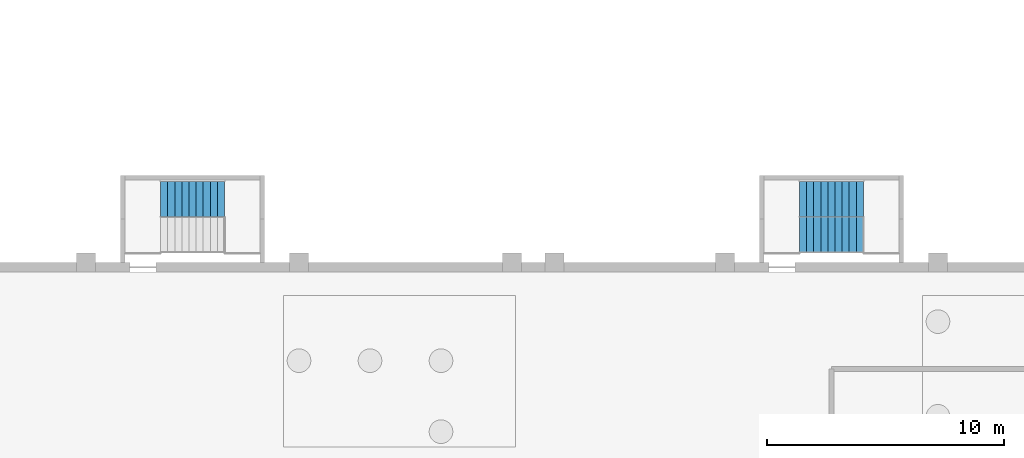
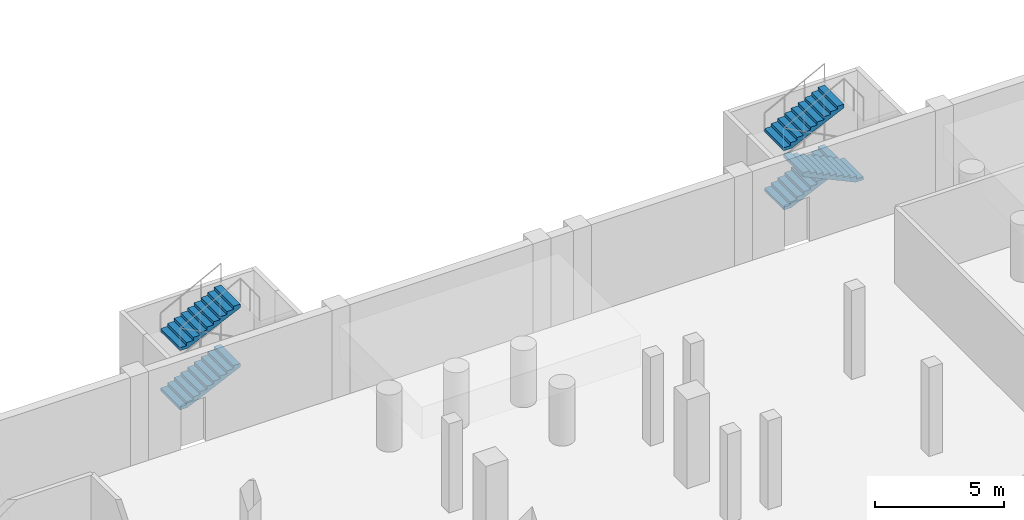
# One storey, part 22 of 27: 5 stair flights, 2 elements without a shape of their own.
"""IFC4 building model written with IfcOpenShell, lengths in metres."""

from ifc_helpers import new_model, si_unit, direction, frame, origin, place, context, subcontext, project, spatial, polyline, outline, extrude, material, type_object, element, aggregate, save


model = new_model("IFC4")

# Units and contexts
model_context = context("Model", 3, precision=1e-05, world=origin(), true_north=direction((0.0, 1.0)))
body_context = subcontext(model_context, "Body", "Model", "MODEL_VIEW")
ifc_project = project(units=[si_unit("LENGTHUNIT", "METRE"), si_unit("AREAUNIT", "SQUARE_METRE"), si_unit("VOLUMEUNIT", "CUBIC_METRE"), si_unit("PLANEANGLEUNIT", "RADIAN"), si_unit("MASSUNIT", "GRAM", prefix="KILO")], contexts=[model_context])

# Site, building, storey
site_placement = place(None, origin())
site = spatial("IfcSite", under=ifc_project, at=site_placement, CompositionType="ELEMENT")
building_placement = place(site_placement, origin())
building = spatial("IfcBuilding", under=site, at=building_placement, Name="Aravalli Gate Trade Fair Centre", CompositionType="ELEMENT")
storey_placement = place(building_placement, frame((0.0, 0.0, -4.199951171875)))
storey = spatial("IfcBuildingStorey", under=building, at=storey_placement, Name="B1", CompositionType="ELEMENT", Elevation=-4.199951171875)

# Stair, stair flights
ifc_material = material(Name="Concrete M40", Category="concrete")
stair_type = type_object("IfcStairType", Name="Basement exit stair 1500", PredefinedType="HALF_TURN_STAIR", material=ifc_material)
stair_1_placement = place(storey_placement, origin())
stair_1 = element("IfcStair", 1, at=stair_1_placement, inside=storey, type_object=stair_type, Name="Basement exit stair N3 B1 to L00", PredefinedType="HALF_TURN_STAIR")
stair_flight_type = type_object("IfcStairFlightType", Name="Basement exit stair flight 1500", PredefinedType="STRAIGHT", material=ifc_material)
stair_flight_1_placement = place(storey_placement, frame((90.14990234375, 135.679931640625, 0.0), z_axis=(0.0, 0.0, 1.0), x_axis=(1.0, 0.0, 0.0)))
stair_flight_1 = element("IfcStairFlight", 2, at=stair_flight_1_placement, type_object=stair_flight_type, Name="BS1 flight 1", NumberOfRisers=10, NumberOfTreads=9, PredefinedType="STRAIGHT", RiserHeight=0.14, TreadLength=0.3, context=body_context, shape_type="SweptSolid", body=[
    extrude(outline(polyline([(0.0, 0.0), (0.0, 0.139892578125), (0.300048828125, 0.139892578125), (0.300048828125, 0.280029296875), (0.60009765625, 0.280029296875), (0.60009765625, 0.419921875), (0.89990234375, 0.419921875), (0.89990234375, 0.56005859375), (1.199951171875, 0.56005859375), (1.199951171875, 0.699951171875), (1.5, 0.699951171875), (1.5, 0.840087890625), (1.800048828125, 0.840087890625), (1.800048828125, 0.97998046875), (2.10009765625, 0.97998046875), (2.10009765625, 1.1201171875), (2.39990234375, 1.1201171875), (2.39990234375, 1.260009765625), (2.699951171875, 1.260009765625), (2.699951171875, 1.39990234375), (2.699951171875, 1.094482421875), (0.3544921875, 0.0), (0.0, 0.0)])), frame((0.0, 0.75, 0.0), z_axis=(0.0, -1.0, 0.0), x_axis=(1.0, 0.0, 0.0)), (0.0, 0.0, 1.0), 1.5),
])
stair_flight_2_placement = place(storey_placement, frame((90.14990234375, 135.679931640625, 2.800048828125), z_axis=(0.0, 0.0, 1.0), x_axis=(1.0, 0.0, 0.0)))
stair_flight_2 = element("IfcStairFlight", 3, at=stair_flight_2_placement, type_object=stair_flight_type, Name="BS1 flight 3", NumberOfRisers=10, NumberOfTreads=9, PredefinedType="STRAIGHT", RiserHeight=0.14, TreadLength=0.3, context=body_context, shape_type="SweptSolid", body=[
    extrude(outline(polyline([(0.0, 0.0), (0.0, 0.139892578125), (0.300048828125, 0.139892578125), (0.300048828125, 0.280029296875), (0.60009765625, 0.280029296875), (0.60009765625, 0.419921875), (0.89990234375, 0.419921875), (0.89990234375, 0.56005859375), (1.199951171875, 0.56005859375), (1.199951171875, 0.699951171875), (1.5, 0.699951171875), (1.5, 0.840087890625), (1.800048828125, 0.840087890625), (1.800048828125, 0.97998046875), (2.10009765625, 0.97998046875), (2.10009765625, 1.1201171875), (2.39990234375, 1.1201171875), (2.39990234375, 1.260009765625), (2.699951171875, 1.260009765625), (2.699951171875, 1.39990234375), (2.699951171875, 1.094482421875), (0.3544921875, 0.0), (0.0, 0.0)])), frame((0.0, 0.75, 0.0), z_axis=(0.0, -1.0, 0.0), x_axis=(1.0, 0.0, 0.0)), (0.0, 0.0, 1.0), 1.5),
])
aggregate(stair_1, [stair_flight_1, stair_flight_2])

stair_2_placement = place(storey_placement, origin())
stair_2 = element("IfcStair", 4, at=stair_2_placement, inside=storey, type_object=stair_type, Name="Basement exit stair N4 B1 to L00", PredefinedType="HALF_TURN_STAIR")
stair_flight_3_placement = place(storey_placement, frame((117.14990234375, 135.679931640625, 0.0), z_axis=(0.0, 0.0, 1.0), x_axis=(1.0, 0.0, 0.0)))
stair_flight_3 = element("IfcStairFlight", 5, at=stair_flight_3_placement, type_object=stair_flight_type, Name="BS1 flight 1", NumberOfRisers=10, NumberOfTreads=9, PredefinedType="STRAIGHT", RiserHeight=0.14, TreadLength=0.3, context=body_context, shape_type="SweptSolid", body=[
    extrude(outline(polyline([(0.0, 0.0), (0.0, 0.139892578125), (0.300048828125, 0.139892578125), (0.300048828125, 0.280029296875), (0.60009765625, 0.280029296875), (0.60009765625, 0.419921875), (0.89990234375, 0.419921875), (0.89990234375, 0.56005859375), (1.199951171875, 0.56005859375), (1.199951171875, 0.699951171875), (1.5, 0.699951171875), (1.5, 0.840087890625), (1.800048828125, 0.840087890625), (1.800048828125, 0.97998046875), (2.10009765625, 0.97998046875), (2.10009765625, 1.1201171875), (2.39990234375, 1.1201171875), (2.39990234375, 1.260009765625), (2.699951171875, 1.260009765625), (2.699951171875, 1.39990234375), (2.699951171875, 1.094482421875), (0.3544921875, 0.0), (0.0, 0.0)])), frame((0.0, 0.75, 0.0), z_axis=(0.0, -1.0, 0.0), x_axis=(1.0, 0.0, 0.0)), (0.0, 0.0, 1.0), 1.5),
])
stair_flight_4_placement = place(storey_placement, frame((119.85009765625, 134.179931640625, 1.39990234375), z_axis=(0.0, 0.0, 1.0), x_axis=(-1.0, 0.0, 0.0)))
stair_flight_4 = element("IfcStairFlight", 6, at=stair_flight_4_placement, type_object=stair_flight_type, Name="BS1 flight 2", NumberOfRisers=10, NumberOfTreads=9, PredefinedType="STRAIGHT", RiserHeight=0.14, TreadLength=0.3, context=body_context, shape_type="SweptSolid", body=[
    extrude(outline(polyline([(0.0, 0.0), (0.0, 0.139892578125), (0.300048828125, 0.139892578125), (0.300048828125, 0.280029296875), (0.60009765625, 0.280029296875), (0.60009765625, 0.419921875), (0.89990234375, 0.419921875), (0.89990234375, 0.56005859375), (1.199951171875, 0.56005859375), (1.199951171875, 0.699951171875), (1.5, 0.699951171875), (1.5, 0.840087890625), (1.800048828125, 0.840087890625), (1.800048828125, 0.97998046875), (2.10009765625, 0.97998046875), (2.10009765625, 1.1201171875), (2.39990234375, 1.1201171875), (2.39990234375, 1.260009765625), (2.699951171875, 1.260009765625), (2.699951171875, 1.39990234375), (2.699951171875, 1.094482421875), (0.3544921875, 0.0), (0.0, 0.0)])), frame((0.0, 0.75, 0.0), z_axis=(0.0, -1.0, 0.0), x_axis=(1.0, 0.0, 0.0)), (0.0, 0.0, 1.0), 1.5),
])
stair_flight_5_placement = place(storey_placement, frame((117.14990234375, 135.679931640625, 2.800048828125), z_axis=(0.0, 0.0, 1.0), x_axis=(1.0, 0.0, 0.0)))
stair_flight_5 = element("IfcStairFlight", 7, at=stair_flight_5_placement, type_object=stair_flight_type, Name="BS1 flight 3", NumberOfRisers=10, NumberOfTreads=9, PredefinedType="STRAIGHT", RiserHeight=0.14, TreadLength=0.3, context=body_context, shape_type="SweptSolid", body=[
    extrude(outline(polyline([(0.0, 0.0), (0.0, 0.139892578125), (0.300048828125, 0.139892578125), (0.300048828125, 0.280029296875), (0.60009765625, 0.280029296875), (0.60009765625, 0.419921875), (0.89990234375, 0.419921875), (0.89990234375, 0.56005859375), (1.199951171875, 0.56005859375), (1.199951171875, 0.699951171875), (1.5, 0.699951171875), (1.5, 0.840087890625), (1.800048828125, 0.840087890625), (1.800048828125, 0.97998046875), (2.10009765625, 0.97998046875), (2.10009765625, 1.1201171875), (2.39990234375, 1.1201171875), (2.39990234375, 1.260009765625), (2.699951171875, 1.260009765625), (2.699951171875, 1.39990234375), (2.699951171875, 1.094482421875), (0.3544921875, 0.0), (0.0, 0.0)])), frame((0.0, 0.75, 0.0), z_axis=(0.0, -1.0, 0.0), x_axis=(1.0, 0.0, 0.0)), (0.0, 0.0, 1.0), 1.5),
])
aggregate(stair_2, [stair_flight_3, stair_flight_4, stair_flight_5])

save(model, "model.ifc")
